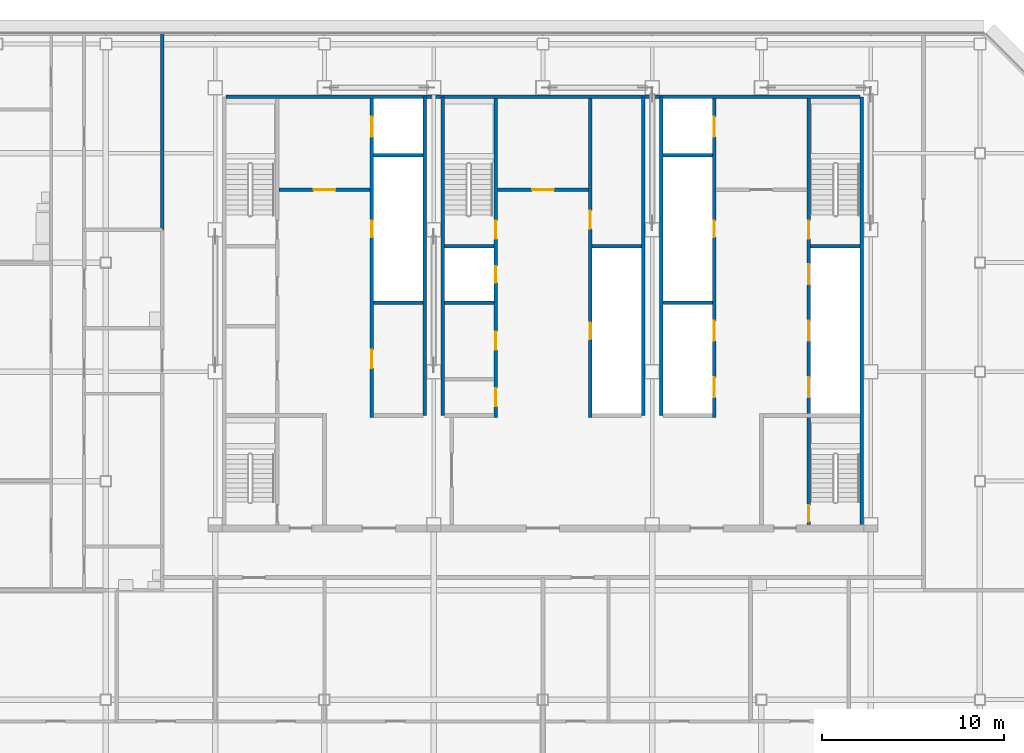
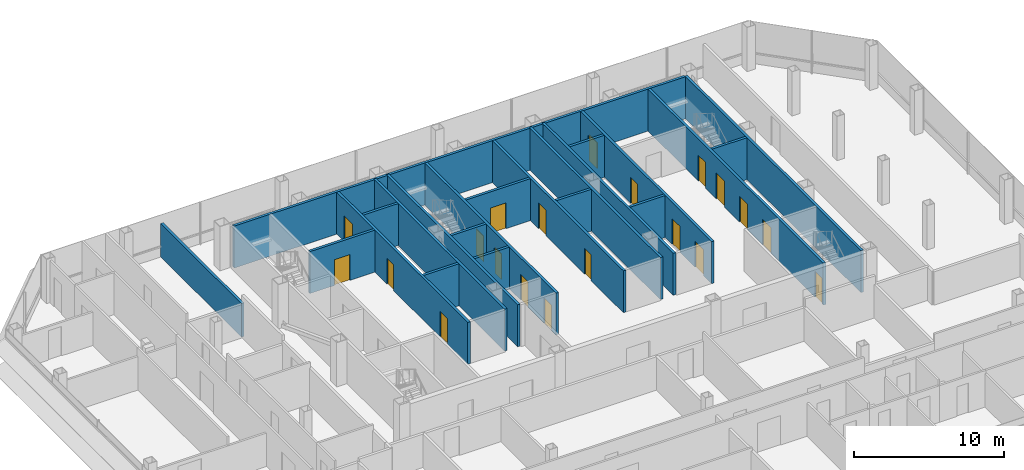
# One storey, part 23 of 26: 22 walls, 20 doors, 20 openings.
"""IFC4 building model written with IfcOpenShell, lengths in metres."""

from ifc_helpers import new_model, si_unit, direction, frame, frame_2d, origin, place, context, subcontext, project, spatial, rectangle, extrude, material, layer, layer_set, type_object, element, fill, save


model = new_model("IFC4")

# Units and contexts
model_context = context("Model", 3, precision=1e-05, world=origin(), true_north=direction((0.0, 1.0)))
body_context = subcontext(model_context, "Body", "Model", "MODEL_VIEW")
ifc_project = project(units=[si_unit("LENGTHUNIT", "METRE"), si_unit("AREAUNIT", "SQUARE_METRE"), si_unit("VOLUMEUNIT", "CUBIC_METRE"), si_unit("PLANEANGLEUNIT", "RADIAN"), si_unit("MASSUNIT", "GRAM", prefix="KILO")], contexts=[model_context])

# Site, building, storey
site_placement = place(None, origin())
site = spatial("IfcSite", under=ifc_project, at=site_placement, CompositionType="ELEMENT")
building_placement = place(site_placement, origin())
building = spatial("IfcBuilding", under=site, at=building_placement, Name="Sorahane Residences", CompositionType="ELEMENT")
storey_placement = place(building_placement, frame((0.0, 0.0, 243.199951171875)))
storey = spatial("IfcBuildingStorey", under=building, at=storey_placement, Name="L57", CompositionType="ELEMENT", Elevation=243.199951171875)

# Walls
ifc_material_1 = material(Name="Concrete C30", Category="concrete")
ifc_layer_1 = layer(ifc_material_1, 0.199951171875)
ifc_layer_set_1 = layer_set([ifc_layer_1], Name="Core face wall 200 EI 180")
wall_type_1 = type_object("IfcWallType", Name="Core face wall 200 EI 180", PredefinedType="SOLIDWALL", material=ifc_layer_set_1)
wall_1_placement = place(storey_placement, frame((41.5, 21.60009765625, 0.0), z_axis=(0.0, 0.0, 1.0), x_axis=(0.0, 1.0, 0.0)))
element("IfcWall", 1, at=wall_1_placement, inside=storey, type_object=wall_type_1, Name="L57 core face wall", PredefinedType="SOLIDWALL", context=body_context, shape_type="SweptSolid", body=[
    extrude(rectangle(XDim=23.5, YDim=0.199951171875, at=frame_2d((11.75, 0.0))), origin(), (0.0, 0.0, 1.0), 3.420166015625),
])
wall_2_placement = place(storey_placement, frame((6.60009765625, 45.10009765625, 0.0), z_axis=(0.0, 0.0, 1.0), x_axis=(1.0, 0.0, 0.0)))
element("IfcWall", 2, at=wall_2_placement, inside=storey, type_object=wall_type_1, Name="L57 core face wall", PredefinedType="SOLIDWALL", context=body_context, shape_type="SweptSolid", body=[
    extrude(rectangle(XDim=34.7998046875, YDim=0.199951171875, at=frame_2d((17.39990234375, 0.0))), origin(), (0.0, 0.0, 1.0), 3.420166015625),
])
for number, where, z_axis, x_axis, name in (
    (3, (17.5, 27.60009765625, 0.0), (0.0, 0.0, 1.0), (0.0, 1.0, 0.0), "L57 core face wall"),
    (4, (18.5, 27.60009765625, 0.0), (0.0, 0.0, 1.0), (0.0, 1.0, 0.0), "L57 core face wall"),
    (5, (29.5, 27.60009765625, 0.0), (0.0, 0.0, 1.0), (0.0, 1.0, 0.0), "L57 core face wall"),
    (6, (30.5, 27.60009765625, 0.0), (0.0, 0.0, 1.0), (0.0, 1.0, 0.0), "L57 core face wall"),
):
    element("IfcWall", number, at=place(storey_placement, frame(where, z_axis=z_axis, x_axis=x_axis)), inside=storey, type_object=wall_type_1, Name=name, PredefinedType="SOLIDWALL", context=body_context, shape_type="SweptSolid", body=[
        extrude(rectangle(XDim=17.5, YDim=0.199951171875, at=frame_2d((8.75, 0.0))), origin(), (0.0, 0.0, 1.0), 3.420166015625),
    ])
ifc_material_2 = material(Name="Concrete blockwork C20 wall", Category="masonry")
ifc_layer_2 = layer(ifc_material_2, 0.199951171875)
ifc_layer_set_2 = layer_set([ifc_layer_2], Name="Corridor wall 200 EI 120")
wall_type_2 = type_object("IfcWallType", Name="Corridor wall 200 EI 120", PredefinedType="SOLIDWALL", material=ifc_layer_set_2)
wall_3_placement = place(storey_placement, frame((3.10009765625, 37.800048828125, 0.0), z_axis=(0.0, 0.0, 1.0), x_axis=(0.0, 1.0, 0.0)))
element("IfcWall", 7, at=wall_3_placement, inside=storey, type_object=wall_type_2, Name="L57 corridor wall", PredefinedType="SOLIDWALL", context=body_context, shape_type="SweptSolid", body=[
    extrude(rectangle(XDim=10.800048828125, YDim=0.199951171875, at=frame_2d((5.39990234375, 0.0))), origin(), (0.0, 0.0, 1.0), 2.719970703125),
])

# Wall, opening, door
ifc_material_3 = material(Name="Concrete C30", Category="concrete")
ifc_layer_3 = layer(ifc_material_3, 0.199951171875)
ifc_layer_set_3 = layer_set([ifc_layer_3], Name="Front room wall 200 EI 120")
wall_type_3 = type_object("IfcWallType", Name="Front room wall 200 EI 120", PredefinedType="PARTITIONING", material=ifc_layer_set_3)
wall_4_placement = place(storey_placement, frame((21.5, 40.0, 0.0), z_axis=(0.0, 0.0, 1.0), x_axis=(1.0, 0.0, 0.0)))
wall_4 = element("IfcWall", 8, at=wall_4_placement, inside=storey, type_object=wall_type_3, Name="L57 front room wall", PredefinedType="PARTITIONING", context=body_context, shape_type="SweptSolid", body=[
    extrude(rectangle(XDim=5.0, YDim=0.199951171875, at=frame_2d((2.5, 0.0))), origin(), (0.0, 0.0, 1.0), 3.420166015625),
])
opening_1_placement = place(wall_4_placement, frame((1.89990234375, 0.0, 0.0)))
opening_1 = element("IfcOpeningElement", 9, at=opening_1_placement, cuts=wall_4, Name="Opening L57-C08", PredefinedType="OPENING", context=body_context, shape_type="SweptSolid", body=[
    extrude(rectangle(XDim=1.199951171875, YDim=2.10009765625, at=frame_2d((0.60009765625, 1.050048828125))), frame((0.0, 0.10986328125, 0.0), z_axis=(0.0, -1.0, 0.0), x_axis=(1.0, 0.0, 0.0)), (0.0, 0.0, 1.0), 0.219970703125),
])
ifc_material_4 = material(Name="Steel", Category="steel")
door_type_1 = type_object("IfcDoorType", Name="Front room door 1200x2100 FD120", OperationType="NOTDEFINED", PredefinedType="DOOR", material=ifc_material_4)
door_1_placement = place(opening_1_placement, frame((1.199951171875, 0.0, 0.0), z_axis=(0.0, 0.0, 1.0), x_axis=(-1.0, 0.0, 0.0)))
door_1 = element("IfcDoor", 10, at=door_1_placement, inside=storey, type_object=door_type_1, Name="Front room door Stair S3 vestibule L57", OperationType="DOUBLE_DOOR_SINGLE_SWING", OverallHeight=2.10009765625, OverallWidth=1.199951171875, PredefinedType="DOOR", context=body_context, shape_type="SweptSolid", body=[
    extrude(rectangle(XDim=1.199951171875, YDim=2.10009765625, at=frame_2d((0.60009765625, 1.050048828125))), frame((0.0, 0.02490234375, 0.0), z_axis=(0.0, -1.0, 0.0), x_axis=(1.0, 0.0, 0.0)), (0.0, 0.0, 1.0), 0.050048828125),
])
fill(opening_1, door_1)

wall_5_placement = place(storey_placement, frame((9.5, 40.0, 0.0), z_axis=(0.0, 0.0, 1.0), x_axis=(1.0, 0.0, 0.0)))
wall_5 = element("IfcWall", 11, at=wall_5_placement, inside=storey, type_object=wall_type_3, Name="L57 front room wall", PredefinedType="PARTITIONING", context=body_context, shape_type="SweptSolid", body=[
    extrude(rectangle(XDim=5.0, YDim=0.199951171875, at=frame_2d((2.5, 0.0))), origin(), (0.0, 0.0, 1.0), 3.420166015625),
])
opening_2_placement = place(wall_5_placement, frame((1.89990234375, 0.0, 0.0)))
opening_2 = element("IfcOpeningElement", 12, at=opening_2_placement, cuts=wall_5, Name="Opening L57-C07", PredefinedType="OPENING", context=body_context, shape_type="SweptSolid", body=[
    extrude(rectangle(XDim=1.199951171875, YDim=2.10009765625, at=frame_2d((0.60009765625, 1.050048828125))), frame((0.0, 0.10986328125, 0.0), z_axis=(0.0, -1.0, 0.0), x_axis=(1.0, 0.0, 0.0)), (0.0, 0.0, 1.0), 0.219970703125),
])
door_2_placement = place(opening_2_placement, frame((1.199951171875, 0.0, 0.0), z_axis=(0.0, 0.0, 1.0), x_axis=(-1.0, 0.0, 0.0)))
door_2 = element("IfcDoor", 13, at=door_2_placement, inside=storey, type_object=door_type_1, Name="Front room door Firefighting lobby FF1 front room L57", OperationType="DOUBLE_DOOR_SINGLE_SWING", OverallHeight=2.10009765625, OverallWidth=1.199951171875, PredefinedType="DOOR", context=body_context, shape_type="SweptSolid", body=[
    extrude(rectangle(XDim=1.199951171875, YDim=2.10009765625, at=frame_2d((0.60009765625, 1.050048828125))), frame((0.0, 0.02490234375, 0.0), z_axis=(0.0, -1.0, 0.0), x_axis=(1.0, 0.0, 0.0)), (0.0, 0.0, 1.0), 0.050048828125),
])
fill(opening_2, door_2)

# Wall, openings, doors
ifc_material_5 = material(Name="Concrete C30", Category="concrete")
ifc_layer_4 = layer(ifc_material_5, 0.199951171875)
ifc_layer_set_4 = layer_set([ifc_layer_4], Name="Lift shaft wall 200 EI 120")
wall_type_4 = type_object("IfcWallType", Name="Lift shaft wall 200 EI 120", PredefinedType="SOLIDWALL", material=ifc_layer_set_4)
wall_6_placement = place(storey_placement, frame((14.60009765625, 27.5, 0.0), z_axis=(0.0, 0.0, 1.0), x_axis=(0.0, 1.0, 0.0)))
wall_6 = element("IfcWall", 14, at=wall_6_placement, inside=storey, type_object=wall_type_4, Name="L57 lift shaft wall", PredefinedType="SOLIDWALL", context=body_context, shape_type="SweptSolid", body=[
    extrude(rectangle(XDim=17.5, YDim=0.199951171875, at=frame_2d((8.75, 0.0))), origin(), (0.0, 0.0, 1.0), 3.420166015625),
])
opening_3_placement = place(wall_6_placement, frame((15.39990234375, 0.0, 0.0)))
opening_3 = element("IfcOpeningElement", 15, at=opening_3_placement, cuts=wall_6, Name="Opening L57-C16", PredefinedType="OPENING", context=body_context, shape_type="SweptSolid", body=[
    extrude(rectangle(XDim=1.10009765625, YDim=2.10009765625, at=frame_2d((0.550048828125, 1.050048828125))), frame((0.0, 0.10986328125, 0.0), z_axis=(0.0, -1.0, 0.0), x_axis=(1.0, 0.0, 0.0)), (0.0, 0.0, 1.0), 0.219970703125),
])
opening_4_placement = place(wall_6_placement, frame((2.699951171875, 0.0, 0.0)))
opening_4 = element("IfcOpeningElement", 16, at=opening_4_placement, cuts=wall_6, Name="Opening L57-C19", PredefinedType="OPENING", context=body_context, shape_type="SweptSolid", body=[
    extrude(rectangle(XDim=1.0, YDim=2.10009765625, at=frame_2d((0.5, 1.050048828125))), frame((0.0, 0.10986328125, 0.0), z_axis=(0.0, -1.0, 0.0), x_axis=(1.0, 0.0, 0.0)), (0.0, 0.0, 1.0), 0.219970703125),
])
opening_5_placement = place(wall_6_placement, frame((9.89990234375, 0.0, 0.0)))
opening_5 = element("IfcOpeningElement", 17, at=opening_5_placement, cuts=wall_6, Name="Opening L57-C27", PredefinedType="OPENING", context=body_context, shape_type="SweptSolid", body=[
    extrude(rectangle(XDim=0.89990234375, YDim=2.10009765625, at=frame_2d((0.449951171875, 1.050048828125))), frame((0.0, 0.10986328125, 0.0), z_axis=(0.0, -1.0, 0.0), x_axis=(1.0, 0.0, 0.0)), (0.0, 0.0, 1.0), 0.219970703125),
])
ifc_material_6 = material(Name="Aluminium and stainless steel", Category="steel")
door_type_2 = type_object("IfcDoorType", Name="Lift landing door 1100x2100 E 60", OperationType="NOTDEFINED", PredefinedType="DOOR", material=ifc_material_6)
door_3_placement = place(opening_3_placement, origin())
door_3 = element("IfcDoor", 18, at=door_3_placement, inside=storey, type_object=door_type_2, Name="Lift landing door FF1 L57", OperationType="DOUBLE_DOOR_SLIDING", OverallHeight=2.10009765625, OverallWidth=1.10009765625, PredefinedType="DOOR", context=body_context, shape_type="SweptSolid", body=[
    extrude(rectangle(XDim=1.10009765625, YDim=2.10009765625, at=frame_2d((0.550048828125, 1.050048828125))), frame((0.0, 0.02490234375, 0.0), z_axis=(0.0, -1.0, 0.0), x_axis=(1.0, 0.0, 0.0)), (0.0, 0.0, 1.0), 0.050048828125),
])
fill(opening_3, door_3)
ifc_material_7 = material(Name="Steel", Category="steel")
door_type_3 = type_object("IfcDoorType", Name="Riser door 900x2100 FD120", OperationType="NOTDEFINED", PredefinedType="DOOR", material=ifc_material_7)
door_4_placement = place(opening_5_placement, origin())
door_4 = element("IfcDoor", 19, at=door_4_placement, inside=storey, type_object=door_type_3, Name="Riser door R1 L57", OperationType="SINGLE_SWING_LEFT", OverallHeight=2.10009765625, OverallWidth=0.89990234375, PredefinedType="DOOR", context=body_context, shape_type="SweptSolid", body=[
    extrude(rectangle(XDim=0.89990234375, YDim=2.10009765625, at=frame_2d((0.449951171875, 1.050048828125))), frame((0.0, 0.02490234375, 0.0), z_axis=(0.0, -1.0, 0.0), x_axis=(1.0, 0.0, 0.0)), (0.0, 0.0, 1.0), 0.050048828125),
])
fill(opening_5, door_4)
ifc_material_8 = material(Name="Steel", Category="steel")
door_type_4 = type_object("IfcDoorType", Name="Service room door 1000x2100 FD60", OperationType="NOTDEFINED", PredefinedType="DOOR", material=ifc_material_8)
door_5_placement = place(opening_4_placement, frame((1.0, 0.0, 0.0), z_axis=(0.0, 0.0, 1.0), x_axis=(-1.0, 0.0, 0.0)))
door_5 = element("IfcDoor", 20, at=door_5_placement, inside=storey, type_object=door_type_4, Name="Service room door Lounge L57", OperationType="SINGLE_SWING_RIGHT", OverallHeight=2.10009765625, OverallWidth=1.0, PredefinedType="DOOR", context=body_context, shape_type="SweptSolid", body=[
    extrude(rectangle(XDim=1.0, YDim=2.10009765625, at=frame_2d((0.5, 1.050048828125))), frame((0.0, 0.02490234375, 0.0), z_axis=(0.0, -1.0, 0.0), x_axis=(1.0, 0.0, 0.0)), (0.0, 0.0, 1.0), 0.050048828125),
])
fill(opening_4, door_5)

wall_7_placement = place(storey_placement, frame((33.39990234375, 27.5, 0.0), z_axis=(0.0, 0.0, 1.0), x_axis=(0.0, 1.0, 0.0)))
wall_7 = element("IfcWall", 21, at=wall_7_placement, inside=storey, type_object=wall_type_4, Name="L57 lift shaft wall", PredefinedType="SOLIDWALL", context=body_context, shape_type="SweptSolid", body=[
    extrude(rectangle(XDim=17.5, YDim=0.199951171875, at=frame_2d((8.75, 0.0))), origin(), (0.0, 0.0, 1.0), 3.420166015625),
])
opening_6_placement = place(wall_7_placement, frame((1.10009765625, 0.0, 0.0)))
opening_6 = element("IfcOpeningElement", 22, at=opening_6_placement, cuts=wall_7, Name="Opening L57-C13", PredefinedType="OPENING", context=body_context, shape_type="SweptSolid", body=[
    extrude(rectangle(XDim=1.10009765625, YDim=2.10009765625, at=frame_2d((0.550048828125, 1.050048828125))), frame((0.0, 0.10986328125, 0.0), z_axis=(0.0, -1.0, 0.0), x_axis=(1.0, 0.0, 0.0)), (0.0, 0.0, 1.0), 0.219970703125),
])
opening_7_placement = place(wall_7_placement, frame((4.199951171875, 0.0, 0.0)))
opening_7 = element("IfcOpeningElement", 23, at=opening_7_placement, cuts=wall_7, Name="Opening L57-C14", PredefinedType="OPENING", context=body_context, shape_type="SweptSolid", body=[
    extrude(rectangle(XDim=1.10009765625, YDim=2.10009765625, at=frame_2d((0.550048828125, 1.050048828125))), frame((0.0, 0.10986328125, 0.0), z_axis=(0.0, -1.0, 0.0), x_axis=(1.0, 0.0, 0.0)), (0.0, 0.0, 1.0), 0.219970703125),
])
opening_8_placement = place(wall_7_placement, frame((15.39990234375, 0.0, 0.0)))
opening_8 = element("IfcOpeningElement", 24, at=opening_8_placement, cuts=wall_7, Name="Opening L57-C15", PredefinedType="OPENING", context=body_context, shape_type="SweptSolid", body=[
    extrude(rectangle(XDim=1.10009765625, YDim=2.10009765625, at=frame_2d((0.550048828125, 1.050048828125))), frame((0.0, 0.10986328125, 0.0), z_axis=(0.0, -1.0, 0.0), x_axis=(1.0, 0.0, 0.0)), (0.0, 0.0, 1.0), 0.219970703125),
])
opening_9_placement = place(wall_7_placement, frame((9.89990234375, 0.0, 0.0)))
opening_9 = element("IfcOpeningElement", 25, at=opening_9_placement, cuts=wall_7, Name="Opening L57-C28", PredefinedType="OPENING", context=body_context, shape_type="SweptSolid", body=[
    extrude(rectangle(XDim=0.89990234375, YDim=2.10009765625, at=frame_2d((0.449951171875, 1.050048828125))), frame((0.0, 0.10986328125, 0.0), z_axis=(0.0, -1.0, 0.0), x_axis=(1.0, 0.0, 0.0)), (0.0, 0.0, 1.0), 0.219970703125),
])
door_6_placement = place(opening_6_placement, origin())
door_6 = element("IfcDoor", 26, at=door_6_placement, inside=storey, type_object=door_type_2, Name="Lift landing door HR4 L57", OperationType="DOUBLE_DOOR_SLIDING", OverallHeight=2.10009765625, OverallWidth=1.10009765625, PredefinedType="DOOR", context=body_context, shape_type="SweptSolid", body=[
    extrude(rectangle(XDim=1.10009765625, YDim=2.10009765625, at=frame_2d((0.550048828125, 1.050048828125))), frame((0.0, 0.02490234375, 0.0), z_axis=(0.0, -1.0, 0.0), x_axis=(1.0, 0.0, 0.0)), (0.0, 0.0, 1.0), 0.050048828125),
])
fill(opening_6, door_6)
door_7_placement = place(opening_7_placement, origin())
door_7 = element("IfcDoor", 27, at=door_7_placement, inside=storey, type_object=door_type_2, Name="Lift landing door HR5 L57", OperationType="DOUBLE_DOOR_SLIDING", OverallHeight=2.10009765625, OverallWidth=1.10009765625, PredefinedType="DOOR", context=body_context, shape_type="SweptSolid", body=[
    extrude(rectangle(XDim=1.10009765625, YDim=2.10009765625, at=frame_2d((0.550048828125, 1.050048828125))), frame((0.0, 0.02490234375, 0.0), z_axis=(0.0, -1.0, 0.0), x_axis=(1.0, 0.0, 0.0)), (0.0, 0.0, 1.0), 0.050048828125),
])
fill(opening_7, door_7)
door_8_placement = place(opening_8_placement, origin())
door_8 = element("IfcDoor", 28, at=door_8_placement, inside=storey, type_object=door_type_2, Name="Lift landing door FF2 L57", OperationType="DOUBLE_DOOR_SLIDING", OverallHeight=2.10009765625, OverallWidth=1.10009765625, PredefinedType="DOOR", context=body_context, shape_type="SweptSolid", body=[
    extrude(rectangle(XDim=1.10009765625, YDim=2.10009765625, at=frame_2d((0.550048828125, 1.050048828125))), frame((0.0, 0.02490234375, 0.0), z_axis=(0.0, -1.0, 0.0), x_axis=(1.0, 0.0, 0.0)), (0.0, 0.0, 1.0), 0.050048828125),
])
fill(opening_8, door_8)
door_9_placement = place(opening_9_placement, frame((0.89990234375, 0.0, 0.0), z_axis=(0.0, 0.0, 1.0), x_axis=(-1.0, 0.0, 0.0)))
door_9 = element("IfcDoor", 29, at=door_9_placement, inside=storey, type_object=door_type_3, Name="Riser door R2 L57", OperationType="SINGLE_SWING_LEFT", OverallHeight=2.10009765625, OverallWidth=0.89990234375, PredefinedType="DOOR", context=body_context, shape_type="SweptSolid", body=[
    extrude(rectangle(XDim=0.89990234375, YDim=2.10009765625, at=frame_2d((0.449951171875, 1.050048828125))), frame((0.0, 0.02490234375, 0.0), z_axis=(0.0, -1.0, 0.0), x_axis=(1.0, 0.0, 0.0)), (0.0, 0.0, 1.0), 0.050048828125),
])
fill(opening_9, door_9)

# Walls
for number, where, z_axis, x_axis, name in (
    (30, (30.60009765625, 33.800048828125, 0.0), (0.0, 0.0, 1.0), (1.0, 0.0, 0.0), "L57 lift shaft wall"),
    (31, (14.699951171875, 41.89990234375, 0.0), (0.0, 0.0, 1.0), (1.0, 0.0, 0.0), "L57 lift shaft wall"),
    (32, (30.60009765625, 41.89990234375, 0.0), (0.0, 0.0, 1.0), (1.0, 0.0, 0.0), "L57 lift shaft wall"),
):
    element("IfcWall", number, at=place(storey_placement, frame(where, z_axis=z_axis, x_axis=x_axis)), inside=storey, type_object=wall_type_4, Name=name, PredefinedType="SOLIDWALL", context=body_context, shape_type="SweptSolid", body=[
        extrude(rectangle(XDim=2.699951171875, YDim=0.199951171875, at=frame_2d((1.35009765625, 0.0))), origin(), (0.0, 0.0, 1.0), 3.420166015625),
    ])

# Wall, openings, doors
ifc_material_9 = material(Name="Concrete C30", Category="concrete")
ifc_layer_5 = layer(ifc_material_9, 0.199951171875)
ifc_layer_set_5 = layer_set([ifc_layer_5], Name="Riser shaft wall 200 EI 120")
wall_type_5 = type_object("IfcWallType", Name="Riser shaft wall 200 EI 120", PredefinedType="SOLIDWALL", material=ifc_layer_set_5)
wall_8_placement = place(storey_placement, frame((26.60009765625, 27.5, 0.0), z_axis=(0.0, 0.0, 1.0), x_axis=(0.0, 1.0, 0.0)))
wall_8 = element("IfcWall", 33, at=wall_8_placement, inside=storey, type_object=wall_type_5, Name="L57 riser wall", PredefinedType="SOLIDWALL", context=body_context, shape_type="SweptSolid", body=[
    extrude(rectangle(XDim=17.5, YDim=0.199951171875, at=frame_2d((8.75, 0.0))), origin(), (0.0, 0.0, 1.0), 3.420166015625),
])
opening_10_placement = place(wall_8_placement, frame((4.300048828125, 0.0, 0.0)))
opening_10 = element("IfcOpeningElement", 34, at=opening_10_placement, cuts=wall_8, Name="Opening L57-C30", PredefinedType="OPENING", context=body_context, shape_type="SweptSolid", body=[
    extrude(rectangle(XDim=0.89990234375, YDim=2.10009765625, at=frame_2d((0.449951171875, 1.050048828125))), frame((0.0, 0.10986328125, 0.0), z_axis=(0.0, -1.0, 0.0), x_axis=(1.0, 0.0, 0.0)), (0.0, 0.0, 1.0), 0.219970703125),
])
opening_11_placement = place(wall_8_placement, frame((10.35009765625, 0.0, 0.0)))
opening_11 = element("IfcOpeningElement", 35, at=opening_11_placement, cuts=wall_8, Name="Opening L57-C31", PredefinedType="OPENING", context=body_context, shape_type="SweptSolid", body=[
    extrude(rectangle(XDim=1.0, YDim=2.10009765625, at=frame_2d((0.5, 1.050048828125))), frame((0.0, 0.10986328125, 0.0), z_axis=(0.0, -1.0, 0.0), x_axis=(1.0, 0.0, 0.0)), (0.0, 0.0, 1.0), 0.219970703125),
])
door_10_placement = place(opening_10_placement, origin())
door_10 = element("IfcDoor", 36, at=door_10_placement, inside=storey, type_object=door_type_3, Name="Riser door R4 L57", OperationType="SINGLE_SWING_LEFT", OverallHeight=2.10009765625, OverallWidth=0.89990234375, PredefinedType="DOOR", context=body_context, shape_type="SweptSolid", body=[
    extrude(rectangle(XDim=0.89990234375, YDim=2.10009765625, at=frame_2d((0.449951171875, 1.050048828125))), frame((0.0, 0.02490234375, 0.0), z_axis=(0.0, -1.0, 0.0), x_axis=(1.0, 0.0, 0.0)), (0.0, 0.0, 1.0), 0.050048828125),
])
fill(opening_10, door_10)
door_11_placement = place(opening_11_placement, frame((1.0, 0.0, 0.0), z_axis=(0.0, 0.0, 1.0), x_axis=(-1.0, 0.0, 0.0)))
door_11 = element("IfcDoor", 37, at=door_11_placement, inside=storey, type_object=door_type_4, Name="Service room door Housekeeping store L57", OperationType="SINGLE_SWING_LEFT", OverallHeight=2.10009765625, OverallWidth=1.0, PredefinedType="DOOR", context=body_context, shape_type="SweptSolid", body=[
    extrude(rectangle(XDim=1.0, YDim=2.10009765625, at=frame_2d((0.5, 1.050048828125))), frame((0.0, 0.02490234375, 0.0), z_axis=(0.0, -1.0, 0.0), x_axis=(1.0, 0.0, 0.0)), (0.0, 0.0, 1.0), 0.050048828125),
])
fill(opening_11, door_11)

# Walls
for number, where, z_axis, x_axis, name in (
    (38, (14.699951171875, 33.800048828125, 0.0), (0.0, 0.0, 1.0), (1.0, 0.0, 0.0), "L57 riser wall"),
    (39, (18.60009765625, 33.800048828125, 0.0), (0.0, 0.0, 1.0), (1.0, 0.0, 0.0), "L57 riser wall"),
    (40, (26.699951171875, 36.89990234375, 0.0), (0.0, 0.0, 1.0), (1.0, 0.0, 0.0), "L57 riser wall"),
):
    element("IfcWall", number, at=place(storey_placement, frame(where, z_axis=z_axis, x_axis=x_axis)), inside=storey, type_object=wall_type_5, Name=name, PredefinedType="SOLIDWALL", context=body_context, shape_type="SweptSolid", body=[
        extrude(rectangle(XDim=2.699951171875, YDim=0.199951171875, at=frame_2d((1.35009765625, 0.0))), origin(), (0.0, 0.0, 1.0), 3.420166015625),
    ])

# Wall, openings, doors
ifc_material_10 = material(Name="Concrete C30", Category="concrete")
ifc_layer_6 = layer(ifc_material_10, 0.199951171875)
ifc_layer_set_6 = layer_set([ifc_layer_6], Name="Stair enclosure wall 200 EI 120")
wall_type_6 = type_object("IfcWallType", Name="Stair enclosure wall 200 EI 120", PredefinedType="SOLIDWALL", material=ifc_layer_set_6)
wall_9_placement = place(storey_placement, frame((21.39990234375, 27.5, 0.0), z_axis=(0.0, 0.0, 1.0), x_axis=(0.0, 1.0, 0.0)))
wall_9 = element("IfcWall", 41, at=wall_9_placement, inside=storey, type_object=wall_type_6, Name="L57 stair enclosure wall", PredefinedType="SOLIDWALL", context=body_context, shape_type="SweptSolid", body=[
    extrude(rectangle(XDim=17.5, YDim=0.199951171875, at=frame_2d((8.75, 0.0))), origin(), (0.0, 0.0, 1.0), 3.420166015625),
])
opening_12_placement = place(wall_9_placement, frame((0.60009765625, 0.0, 0.0)))
opening_12 = element("IfcOpeningElement", 42, at=opening_12_placement, cuts=wall_9, Name="Opening L57-C17", PredefinedType="OPENING", context=body_context, shape_type="SweptSolid", body=[
    extrude(rectangle(XDim=1.0, YDim=2.10009765625, at=frame_2d((0.5, 1.050048828125))), frame((0.0, 0.10986328125, 0.0), z_axis=(0.0, -1.0, 0.0), x_axis=(1.0, 0.0, 0.0)), (0.0, 0.0, 1.0), 0.219970703125),
])
opening_13_placement = place(wall_9_placement, frame((3.699951171875, 0.0, 0.0)))
opening_13 = element("IfcOpeningElement", 43, at=opening_13_placement, cuts=wall_9, Name="Opening L57-C18", PredefinedType="OPENING", context=body_context, shape_type="SweptSolid", body=[
    extrude(rectangle(XDim=1.0, YDim=2.10009765625, at=frame_2d((0.5, 1.050048828125))), frame((0.0, 0.10986328125, 0.0), z_axis=(0.0, -1.0, 0.0), x_axis=(1.0, 0.0, 0.0)), (0.0, 0.0, 1.0), 0.219970703125),
])
opening_14_placement = place(wall_9_placement, frame((9.800048828125, 0.0, 0.0)))
opening_14 = element("IfcOpeningElement", 44, at=opening_14_placement, cuts=wall_9, Name="Opening L57-C24", PredefinedType="OPENING", context=body_context, shape_type="SweptSolid", body=[
    extrude(rectangle(XDim=1.0, YDim=2.10009765625, at=frame_2d((0.5, 1.050048828125))), frame((0.0, 0.10986328125, 0.0), z_axis=(0.0, -1.0, 0.0), x_axis=(1.0, 0.0, 0.0)), (0.0, 0.0, 1.0), 0.219970703125),
])
opening_15_placement = place(wall_9_placement, frame((7.39990234375, 0.0, 0.0)))
opening_15 = element("IfcOpeningElement", 45, at=opening_15_placement, cuts=wall_9, Name="Opening L57-C29", PredefinedType="OPENING", context=body_context, shape_type="SweptSolid", body=[
    extrude(rectangle(XDim=0.89990234375, YDim=2.10009765625, at=frame_2d((0.449951171875, 1.050048828125))), frame((0.0, 0.10986328125, 0.0), z_axis=(0.0, -1.0, 0.0), x_axis=(1.0, 0.0, 0.0)), (0.0, 0.0, 1.0), 0.219970703125),
])
door_12_placement = place(opening_15_placement, frame((0.89990234375, 0.0, 0.0), z_axis=(0.0, 0.0, 1.0), x_axis=(-1.0, 0.0, 0.0)))
door_12 = element("IfcDoor", 46, at=door_12_placement, inside=storey, type_object=door_type_3, Name="Riser door R3 L57", OperationType="SINGLE_SWING_LEFT", OverallHeight=2.10009765625, OverallWidth=0.89990234375, PredefinedType="DOOR", context=body_context, shape_type="SweptSolid", body=[
    extrude(rectangle(XDim=0.89990234375, YDim=2.10009765625, at=frame_2d((0.449951171875, 1.050048828125))), frame((0.0, 0.02490234375, 0.0), z_axis=(0.0, -1.0, 0.0), x_axis=(1.0, 0.0, 0.0)), (0.0, 0.0, 1.0), 0.050048828125),
])
fill(opening_15, door_12)
door_13_placement = place(opening_12_placement, origin())
door_13 = element("IfcDoor", 47, at=door_13_placement, inside=storey, type_object=door_type_4, Name="Service room door Coat store L57", OperationType="SINGLE_SWING_LEFT", OverallHeight=2.10009765625, OverallWidth=1.0, PredefinedType="DOOR", context=body_context, shape_type="SweptSolid", body=[
    extrude(rectangle(XDim=1.0, YDim=2.10009765625, at=frame_2d((0.5, 1.050048828125))), frame((0.0, 0.02490234375, 0.0), z_axis=(0.0, -1.0, 0.0), x_axis=(1.0, 0.0, 0.0)), (0.0, 0.0, 1.0), 0.050048828125),
])
fill(opening_12, door_13)
door_14_placement = place(opening_13_placement, origin())
door_14 = element("IfcDoor", 48, at=door_14_placement, inside=storey, type_object=door_type_4, Name="Service room door Meeting room L57", OperationType="SINGLE_SWING_RIGHT", OverallHeight=2.10009765625, OverallWidth=1.0, PredefinedType="DOOR", context=body_context, shape_type="SweptSolid", body=[
    extrude(rectangle(XDim=1.0, YDim=2.10009765625, at=frame_2d((0.5, 1.050048828125))), frame((0.0, 0.02490234375, 0.0), z_axis=(0.0, -1.0, 0.0), x_axis=(1.0, 0.0, 0.0)), (0.0, 0.0, 1.0), 0.050048828125),
])
fill(opening_13, door_14)
ifc_material_11 = material(Name="Steel", Category="steel")
door_type_5 = type_object("IfcDoorType", Name="Stair door 1000x2100 FD120", OperationType="NOTDEFINED", PredefinedType="DOOR", material=ifc_material_11)
door_15_placement = place(opening_14_placement, origin())
door_15 = element("IfcDoor", 49, at=door_15_placement, inside=storey, type_object=door_type_5, Name="Stair door S3 L57", OperationType="SINGLE_SWING_LEFT", OverallHeight=2.10009765625, OverallWidth=1.0, PredefinedType="DOOR", context=body_context, shape_type="SweptSolid", body=[
    extrude(rectangle(XDim=1.0, YDim=2.10009765625, at=frame_2d((0.5, 1.050048828125))), frame((0.0, 0.02490234375, 0.0), z_axis=(0.0, -1.0, 0.0), x_axis=(1.0, 0.0, 0.0)), (0.0, 0.0, 1.0), 0.050048828125),
])
fill(opening_14, door_15)

wall_10_placement = place(storey_placement, frame((38.60009765625, 21.60009765625, 0.0), z_axis=(0.0, 0.0, 1.0), x_axis=(0.0, 1.0, 0.0)))
wall_10 = element("IfcWall", 50, at=wall_10_placement, inside=storey, type_object=wall_type_6, Name="L57 stair enclosure wall", PredefinedType="SOLIDWALL", context=body_context, shape_type="SweptSolid", body=[
    extrude(rectangle(XDim=23.39990234375, YDim=0.199951171875, at=frame_2d((11.699951171875, 0.0))), origin(), (0.0, 0.0, 1.0), 3.420166015625),
])
opening_16_placement = place(wall_10_placement, frame((7.0, 0.0, 0.0)))
opening_16 = element("IfcOpeningElement", 51, at=opening_16_placement, cuts=wall_10, Name="Opening L57-C10", PredefinedType="OPENING", context=body_context, shape_type="SweptSolid", body=[
    extrude(rectangle(XDim=1.10009765625, YDim=2.10009765625, at=frame_2d((0.550048828125, 1.050048828125))), frame((0.0, 0.10986328125, 0.0), z_axis=(0.0, -1.0, 0.0), x_axis=(1.0, 0.0, 0.0)), (0.0, 0.0, 1.0), 0.219970703125),
])
opening_17_placement = place(wall_10_placement, frame((10.10009765625, 0.0, 0.0)))
opening_17 = element("IfcOpeningElement", 52, at=opening_17_placement, cuts=wall_10, Name="Opening L57-C11", PredefinedType="OPENING", context=body_context, shape_type="SweptSolid", body=[
    extrude(rectangle(XDim=1.10009765625, YDim=2.10009765625, at=frame_2d((0.550048828125, 1.050048828125))), frame((0.0, 0.10986328125, 0.0), z_axis=(0.0, -1.0, 0.0), x_axis=(1.0, 0.0, 0.0)), (0.0, 0.0, 1.0), 0.219970703125),
])
opening_18_placement = place(wall_10_placement, frame((13.199951171875, 0.0, 0.0)))
opening_18 = element("IfcOpeningElement", 53, at=opening_18_placement, cuts=wall_10, Name="Opening L57-C12", PredefinedType="OPENING", context=body_context, shape_type="SweptSolid", body=[
    extrude(rectangle(XDim=1.10009765625, YDim=2.10009765625, at=frame_2d((0.550048828125, 1.050048828125))), frame((0.0, 0.10986328125, 0.0), z_axis=(0.0, -1.0, 0.0), x_axis=(1.0, 0.0, 0.0)), (0.0, 0.0, 1.0), 0.219970703125),
])
opening_19_placement = place(wall_10_placement, frame((15.699951171875, 0.0, 0.0)))
opening_19 = element("IfcOpeningElement", 54, at=opening_19_placement, cuts=wall_10, Name="Opening L57-C23", PredefinedType="OPENING", context=body_context, shape_type="SweptSolid", body=[
    extrude(rectangle(XDim=1.0, YDim=2.10009765625, at=frame_2d((0.5, 1.050048828125))), frame((0.0, 0.10986328125, 0.0), z_axis=(0.0, -1.0, 0.0), x_axis=(1.0, 0.0, 0.0)), (0.0, 0.0, 1.0), 0.219970703125),
])
opening_20_placement = place(wall_10_placement, frame((0.175048828125, 0.0, 0.0)))
opening_20 = element("IfcOpeningElement", 55, at=opening_20_placement, cuts=wall_10, Name="Opening L57-C26", PredefinedType="OPENING", context=body_context, shape_type="SweptSolid", body=[
    extrude(rectangle(XDim=0.89990234375, YDim=2.10009765625, at=frame_2d((0.449951171875, 1.050048828125))), frame((0.0, 0.10986328125, 0.0), z_axis=(0.0, -1.0, 0.0), x_axis=(1.0, 0.0, 0.0)), (0.0, 0.0, 1.0), 0.219970703125),
])
door_16_placement = place(opening_16_placement, origin())
door_16 = element("IfcDoor", 56, at=door_16_placement, inside=storey, type_object=door_type_2, Name="Lift landing door HR1 L57", OperationType="DOUBLE_DOOR_SLIDING", OverallHeight=2.10009765625, OverallWidth=1.10009765625, PredefinedType="DOOR", context=body_context, shape_type="SweptSolid", body=[
    extrude(rectangle(XDim=1.10009765625, YDim=2.10009765625, at=frame_2d((0.550048828125, 1.050048828125))), frame((0.0, 0.02490234375, 0.0), z_axis=(0.0, -1.0, 0.0), x_axis=(1.0, 0.0, 0.0)), (0.0, 0.0, 1.0), 0.050048828125),
])
fill(opening_16, door_16)
door_17_placement = place(opening_17_placement, origin())
door_17 = element("IfcDoor", 57, at=door_17_placement, inside=storey, type_object=door_type_2, Name="Lift landing door HR2 L57", OperationType="DOUBLE_DOOR_SLIDING", OverallHeight=2.10009765625, OverallWidth=1.10009765625, PredefinedType="DOOR", context=body_context, shape_type="SweptSolid", body=[
    extrude(rectangle(XDim=1.10009765625, YDim=2.10009765625, at=frame_2d((0.550048828125, 1.050048828125))), frame((0.0, 0.02490234375, 0.0), z_axis=(0.0, -1.0, 0.0), x_axis=(1.0, 0.0, 0.0)), (0.0, 0.0, 1.0), 0.050048828125),
])
fill(opening_17, door_17)
door_18_placement = place(opening_18_placement, origin())
door_18 = element("IfcDoor", 58, at=door_18_placement, inside=storey, type_object=door_type_2, Name="Lift landing door HR3 L57", OperationType="DOUBLE_DOOR_SLIDING", OverallHeight=2.10009765625, OverallWidth=1.10009765625, PredefinedType="DOOR", context=body_context, shape_type="SweptSolid", body=[
    extrude(rectangle(XDim=1.10009765625, YDim=2.10009765625, at=frame_2d((0.550048828125, 1.050048828125))), frame((0.0, 0.02490234375, 0.0), z_axis=(0.0, -1.0, 0.0), x_axis=(1.0, 0.0, 0.0)), (0.0, 0.0, 1.0), 0.050048828125),
])
fill(opening_18, door_18)
door_19_placement = place(opening_19_placement, frame((1.0, 0.0, 0.0), z_axis=(0.0, 0.0, 1.0), x_axis=(-1.0, 0.0, 0.0)))
door_19 = element("IfcDoor", 59, at=door_19_placement, inside=storey, type_object=door_type_5, Name="Stair door S2 L57", OperationType="SINGLE_SWING_LEFT", OverallHeight=2.10009765625, OverallWidth=1.0, PredefinedType="DOOR", context=body_context, shape_type="SweptSolid", body=[
    extrude(rectangle(XDim=1.0, YDim=2.10009765625, at=frame_2d((0.5, 1.050048828125))), frame((0.0, 0.02490234375, 0.0), z_axis=(0.0, -1.0, 0.0), x_axis=(1.0, 0.0, 0.0)), (0.0, 0.0, 1.0), 0.050048828125),
])
fill(opening_19, door_19)
ifc_material_12 = material(Name="Steel", Category="steel")
door_type_6 = type_object("IfcDoorType", Name="Stair door 900x2100 FD120", OperationType="NOTDEFINED", PredefinedType="DOOR", material=ifc_material_12)
door_20_placement = place(opening_20_placement, frame((0.89990234375, 0.0, 0.0), z_axis=(0.0, 0.0, 1.0), x_axis=(-1.0, 0.0, 0.0)))
door_20 = element("IfcDoor", 60, at=door_20_placement, inside=storey, type_object=door_type_6, Name="Stair door S5 L57", OperationType="SINGLE_SWING_LEFT", OverallHeight=2.10009765625, OverallWidth=0.89990234375, PredefinedType="DOOR", context=body_context, shape_type="SweptSolid", body=[
    extrude(rectangle(XDim=0.89990234375, YDim=2.10009765625, at=frame_2d((0.449951171875, 1.050048828125))), frame((0.0, 0.02490234375, 0.0), z_axis=(0.0, -1.0, 0.0), x_axis=(1.0, 0.0, 0.0)), (0.0, 0.0, 1.0), 0.050048828125),
])
fill(opening_20, door_20)

# Walls
for number, where, z_axis, x_axis, name in (
    (61, (18.60009765625, 36.89990234375, 0.0), (0.0, 0.0, 1.0), (1.0, 0.0, 0.0), "L57 stair enclosure wall"),
    (62, (38.699951171875, 36.89990234375, 0.0), (0.0, 0.0, 1.0), (1.0, 0.0, 0.0), "L57 stair enclosure wall"),
):
    element("IfcWall", number, at=place(storey_placement, frame(where, z_axis=z_axis, x_axis=x_axis)), inside=storey, type_object=wall_type_6, Name=name, PredefinedType="SOLIDWALL", context=body_context, shape_type="SweptSolid", body=[
        extrude(rectangle(XDim=2.699951171875, YDim=0.199951171875, at=frame_2d((1.35009765625, 0.0))), origin(), (0.0, 0.0, 1.0), 3.420166015625),
    ])

save(model, "model.ifc")
